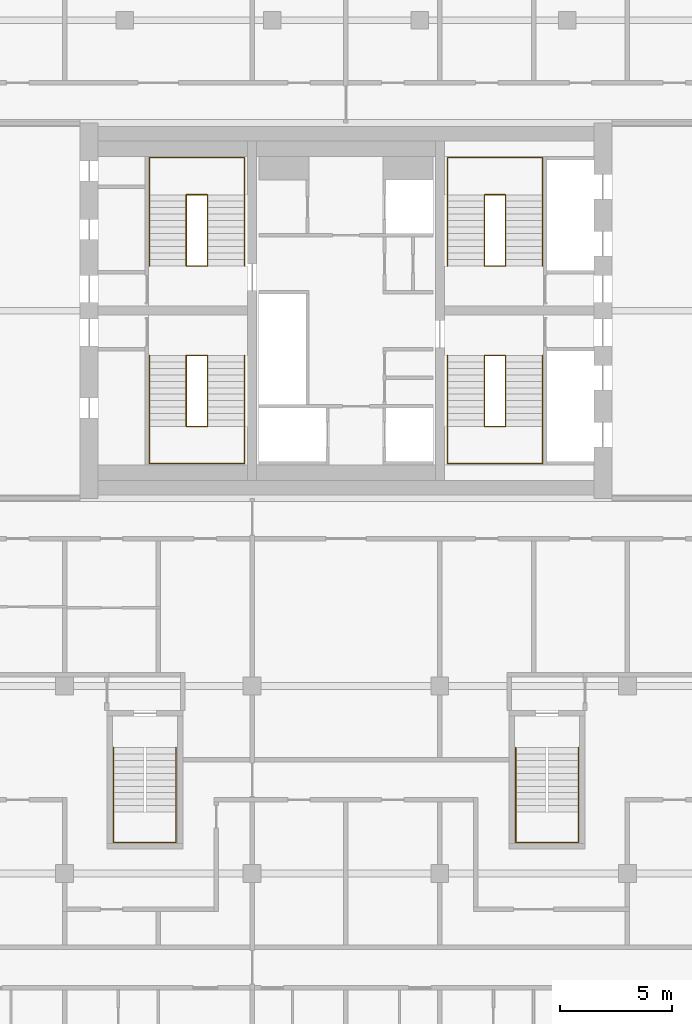
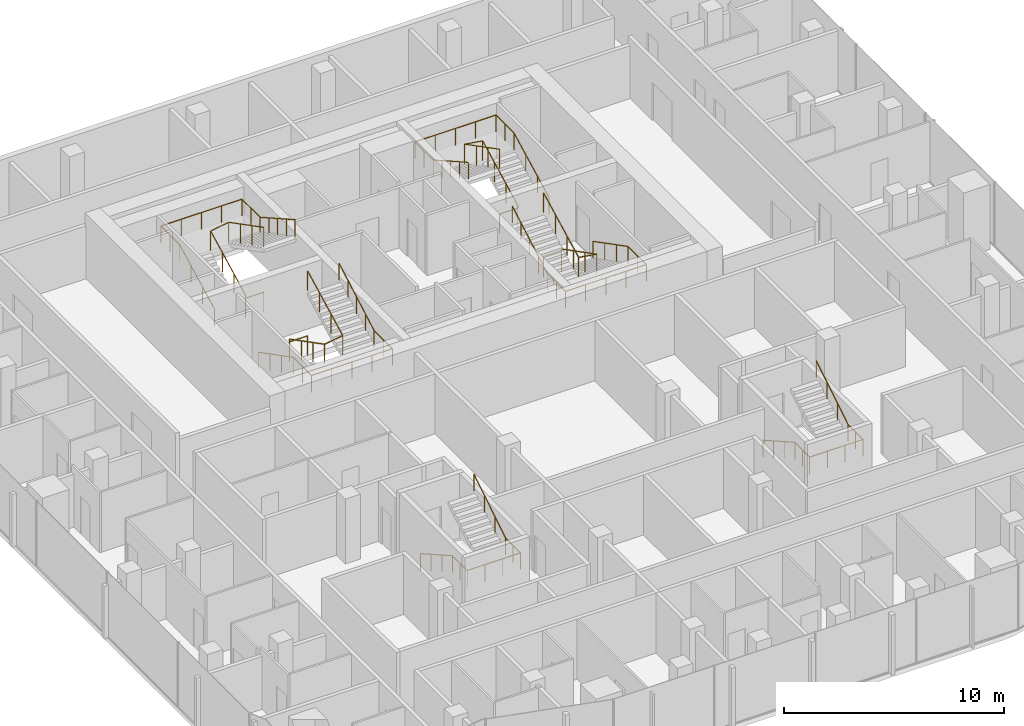
# One storey, part 22 of 22: 10 railings.
"""IFC4 building model written with IfcOpenShell, lengths in metres."""

import ifcopenshell
import ifcopenshell.guid

model = None  # the IFC model being written
_history = None  # IfcOwnerHistory: only IFC2X3 demands one
_inside = {}  # id of a spatial element -> (the spatial element, [elements in it])
_under = {}  # id of a project, library or spatial element -> (it, [spatial elements below it])
_declared = {}  # id of a project -> (the project, [libraries it declares])
_typed = {}  # id of a type object -> (the type object, [elements of that type])
_made_of = {}  # id of a material, layer set ... -> (it, [elements and type objects made of it])


def new_model(schema):
    """Start an empty IFC model of exactly this schema.

    Asked for "IFC4X3", IfcOpenShell would pick the latest addendum, in which some entities
    have other attributes; the version numbers below select the first issue.
    IFC2X3 requires an IfcOwnerHistory on every rooted entity: one is made here for all.
    """
    global model, _history
    if schema == "IFC4X3":
        model = ifcopenshell.file(schema_version=(4, 3, 0, 0))
    else:
        model = ifcopenshell.file(schema=schema)
    _inside.clear()
    _under.clear()
    _declared.clear()
    _typed.clear()
    _made_of.clear()
    _history = None
    if model.schema == "IFC2X3":
        org = make("IfcOrganization", Name="unknown")
        user = make(
            "IfcPersonAndOrganization",
            ThePerson=make("IfcPerson", FamilyName="unknown"),
            TheOrganization=org,
        )
        app = make(
            "IfcApplication",
            ApplicationDeveloper=org,
            Version="unknown",
            ApplicationFullName="unknown",
            ApplicationIdentifier="unknown",
        )
        _history = make(
            "IfcOwnerHistory",
            OwningUser=user,
            OwningApplication=app,
            ChangeAction="ADDED",
            CreationDate=0,
        )
    return model


def make(cls, **values):
    """One entity of the class cls with the attributes given. An attribute that is None is left unset."""
    return model.create_entity(
        cls, **{name: value for name, value in values.items() if value is not None}
    )


def rooted(cls, **values):
    """An entity with a GlobalId (a new one), such as an element, a storey or a relation."""
    return make(cls, GlobalId=ifcopenshell.guid.new(), OwnerHistory=_history, **values)


def si_unit(unit_type, name, prefix=None):
    """IfcSIUnit, for example si_unit("LENGTHUNIT", "METRE", prefix="MILLI")."""
    return make("IfcSIUnit", UnitType=unit_type, Prefix=prefix, Name=name)


def assignment(units):
    """IfcUnitAssignment: the units of a project."""
    return None if units is None else make("IfcUnitAssignment", Units=units)


def point(xyz):
    """IfcCartesianPoint."""
    return None if xyz is None else make("IfcCartesianPoint", Coordinates=xyz)


def direction(xyz):
    """IfcDirection."""
    return None if xyz is None else make("IfcDirection", DirectionRatios=xyz)


def frame(location, z_axis=None, x_axis=None):
    """IfcAxis2Placement3D, a coordinate frame: its origin and axes. An axis left out is left unset."""
    return make(
        "IfcAxis2Placement3D",
        Location=point(location),
        Axis=direction(z_axis),
        RefDirection=direction(x_axis),
    )


def frame_2d(location, x_axis=None):
    """IfcAxis2Placement2D, a coordinate frame in the plane: its origin and x axis."""
    return make(
        "IfcAxis2Placement2D", Location=point(location), RefDirection=direction(x_axis)
    )


def origin():
    """The frame at (0, 0, 0) with its axes left unset."""
    return frame((0.0, 0.0, 0.0))


def origin_2d():
    """The frame at (0, 0) in the plane with its x axis left unset."""
    return frame_2d((0.0, 0.0))


def place(relative_to, where):
    """IfcLocalPlacement: puts the frame where relative to a parent placement (None: the world)."""
    return make(
        "IfcLocalPlacement", PlacementRelTo=relative_to, RelativePlacement=where
    )


def context(
    kind, dimensions, precision=None, world=None, true_north=None, identifier=None
):
    """IfcGeometricRepresentationContext, for example the 3D "Model" context."""
    return make(
        "IfcGeometricRepresentationContext",
        ContextIdentifier=identifier,
        ContextType=kind,
        CoordinateSpaceDimension=dimensions,
        Precision=precision,
        WorldCoordinateSystem=world,
        TrueNorth=true_north,
    )


def subcontext(parent, identifier, kind, view, scale=None):
    """IfcGeometricRepresentationSubContext, for example "Body" below "Model"."""
    return make(
        "IfcGeometricRepresentationSubContext",
        ContextIdentifier=identifier,
        ContextType=kind,
        ParentContext=parent,
        TargetScale=scale,
        TargetView=view,
    )


def project(units=None, contexts=None):
    """IfcProject with its units and contexts."""
    return rooted(
        "IfcProject",
        Name="project",
        RepresentationContexts=contexts,
        UnitsInContext=assignment(units),
    )


def spatial(cls, under=None, at=None, **own):
    """A site, building, storey or space (cls), placed at a placement, below another one or the project."""
    s = rooted(cls, ObjectPlacement=at, **own)
    if under is not None:
        _under.setdefault(under.id(), (under, []))[1].append(s)
    return s


def profile(cls, at=None, kind="AREA", **sizes):
    """A parametric profile (cls). Its sizes go by their IFC names, for example OverallWidth=200.0."""
    return make(cls, ProfileType=kind, Position=at, **sizes)


def circle(**sizes):
    """IfcCircleProfileDef."""
    return profile("IfcCircleProfileDef", **sizes)


def extrude(swept, where, along, depth):
    """IfcExtrudedAreaSolid: the profile swept, set in the frame where, extruded along a direction by depth."""
    return make(
        "IfcExtrudedAreaSolid",
        SweptArea=swept,
        Position=where,
        ExtrudedDirection=direction(along),
        Depth=depth,
    )


def shape(context_of_items, identifier, shape_type, items):
    """IfcShapeRepresentation: the items that make up one representation, for example the "Body"."""
    return make(
        "IfcShapeRepresentation",
        ContextOfItems=context_of_items,
        RepresentationIdentifier=identifier,
        RepresentationType=shape_type,
        Items=items,
    )


def material(Name=None, Category=None):
    """IfcMaterial."""
    return make("IfcMaterial", Name=Name, Category=Category)


def made_of(thing, what):
    """Note that an element or type object is made of a material, layer set ...; save() writes the relation."""
    if what is not None:
        _made_of.setdefault(what.id(), (what, []))[1].append(thing)
    return thing


def type_object(cls, material=None, **own):
    """A type object (cls), such as IfcWallType, which elements share."""
    return made_of(rooted(cls, **own), material)


def element(
    cls,
    number,
    at=None,
    inside=None,
    cuts=None,
    type_object=None,
    material=None,
    context=None,
    identifier="Body",
    shape_type=None,
    held_by="IfcProductDefinitionShape",
    body=None,
    shapes=None,
    **own,
):
    """One element of the class cls, such as IfcWall. Its Tag is "e" and its number.

    at: its placement. inside: the storey or other place that contains it. cuts: it is an
    opening in that element (IfcRelVoidsElement). A single representation is given by context,
    identifier, shape_type and body (its items); several are given by shapes. held_by: the class
    of the entity that holds the representations. save() writes the other relations.
    """
    e = rooted(cls, Tag="e%d" % number, ObjectPlacement=at, **own)
    if body is not None:
        shapes = [shape(context, identifier, shape_type, body)]
    if shapes is not None:
        e.Representation = make(held_by, Representations=shapes)
    if inside is not None:
        _inside.setdefault(inside.id(), (inside, []))[1].append(e)
    if cuts is not None:
        rooted(
            "IfcRelVoidsElement", RelatingBuildingElement=cuts, RelatedOpeningElement=e
        )
    if type_object is not None:
        _typed.setdefault(type_object.id(), (type_object, []))[1].append(e)
    return made_of(e, material)


def aggregate(whole, parts):
    """IfcRelAggregates: a whole, such as a stair, and the parts it consists of."""
    return rooted("IfcRelAggregates", RelatingObject=whole, RelatedObjects=parts)


def save(model, path):
    """Write the relations noted so far, then the file.

    IfcRelAggregates (storeys below a building ...), IfcRelContainedInSpatialStructure (elements
    in a storey), IfcRelDefinesByType, IfcRelAssociatesMaterial and IfcRelDeclares: one each for
    every whole, place, type object, material and project.
    """
    for whole, parts in _under.values():
        aggregate(whole, parts)
    for where, things in _inside.values():
        rooted(
            "IfcRelContainedInSpatialStructure",
            RelatedElements=things,
            RelatingStructure=where,
        )
    for kind, things in _typed.values():
        rooted("IfcRelDefinesByType", RelatedObjects=things, RelatingType=kind)
    for what, things in _made_of.values():
        rooted("IfcRelAssociatesMaterial", RelatedObjects=things, RelatingMaterial=what)
    for by, libraries in _declared.values():
        rooted("IfcRelDeclares", RelatingContext=by, RelatedDefinitions=libraries)
    model.write(path)


model = new_model("IFC4")

# Units and contexts
model_context = context("Model", 3, precision=1e-05, world=origin(), true_north=direction((0.0, 1.0)))
body_context = subcontext(model_context, "Body", "Model", "MODEL_VIEW")
ifc_project = project(units=[si_unit("LENGTHUNIT", "METRE"), si_unit("AREAUNIT", "SQUARE_METRE"), si_unit("VOLUMEUNIT", "CUBIC_METRE"), si_unit("PLANEANGLEUNIT", "RADIAN"), si_unit("MASSUNIT", "GRAM", prefix="KILO")], contexts=[model_context])

# Site, building, storey
site_placement = place(None, origin())
site = spatial("IfcSite", under=ifc_project, at=site_placement, CompositionType="ELEMENT")
building_placement = place(site_placement, origin())
building = spatial("IfcBuilding", under=site, at=building_placement, Name="Marenta Gate Hotel Tower", CompositionType="ELEMENT")
storey_placement = place(building_placement, frame((0.0, 0.0, 230.89990234375)))
storey = spatial("IfcBuildingStorey", under=building, at=storey_placement, Name="L54", CompositionType="ELEMENT", Elevation=230.89990234375)

# Railings
ifc_material_1 = material(Name="Stainless steel", Category="steel")
railing_type_1 = type_object("IfcRailingType", Name="Core stair handrail 950", PredefinedType="HANDRAIL", material=ifc_material_1)
railing_1_placement = place(storey_placement, frame((-8.800048828125, 6.39990234375, 0.150146484375)))
element("IfcRailing", 1, at=railing_1_placement, inside=storey, type_object=railing_type_1, Name="HR-950 L54-KR-ST1-1", PredefinedType="HANDRAIL", context=body_context, shape_type="SweptSolid", body=[
    extrude(circle(Radius=0.02392578125, at=origin_2d()), frame((0.0, 0.0, 0.92578125), z_axis=(0.0, -0.888225295554, 0.459408123936), x_axis=(1.0, 0.0, 0.0)), (0.0, 0.0, 1.0), 3.59130859375),
    extrude(circle(Radius=0.02392578125, at=origin_2d()), frame((0.0, -3.18994140625, 2.57568359375), z_axis=(0.0, -1.0, 0.0), x_axis=(1.0, 0.0, 0.0)), (0.0, 0.0, 1.0), 1.659912109375),
    extrude(circle(Radius=0.02392578125, at=origin_2d()), frame((0.0, -4.849853515625, 2.57568359375), z_axis=(1.0, 0.0, 0.0), x_axis=(0.0, 1.0, 0.0)), (0.0, 0.0, 1.0), 4.25),
    extrude(circle(Radius=0.02392578125, at=origin_2d()), frame((4.25, -4.849853515625, 2.57568359375), z_axis=(0.0, 1.0, 0.0), x_axis=(-1.0, 0.0, 0.0)), (0.0, 0.0, 1.0), 1.659912109375),
    extrude(circle(Radius=0.02392578125, at=origin_2d()), frame((4.25, -3.18994140625, 2.57568359375), z_axis=(0.0, 0.87090897868, 0.491444351738), x_axis=(-1.0, 0.0, 0.0)), (0.0, 0.0, 1.0), 3.662841796875),
    extrude(circle(Radius=0.02099609375, at=origin_2d()), origin(), (0.0, 0.0, 1.0), 0.90185546875),
    extrude(circle(Radius=0.02099609375, at=origin_2d()), frame((0.0, -1.063232421875, 0.550048828125)), (0.0, 0.0, 1.0), 0.90185546875),
    extrude(circle(Radius=0.02099609375, at=origin_2d()), frame((0.0, -2.126708984375, 1.099853515625)), (0.0, 0.0, 1.0), 0.90185546875),
    extrude(circle(Radius=0.02099609375, at=origin_2d()), frame((0.0, -3.18994140625, 1.64990234375)), (0.0, 0.0, 1.0), 0.90185546875),
    extrude(circle(Radius=0.02099609375, at=origin_2d()), frame((0.0, -4.02001953125, 1.64990234375)), (0.0, 0.0, 1.0), 0.90185546875),
    extrude(circle(Radius=0.02099609375, at=origin_2d()), frame((0.0, -4.849853515625, 1.64990234375)), (0.0, 0.0, 1.0), 0.90185546875),
    extrude(circle(Radius=0.02099609375, at=origin_2d()), frame((1.0625, -4.849853515625, 1.64990234375)), (0.0, 0.0, 1.0), 0.90185546875),
    extrude(circle(Radius=0.02099609375, at=origin_2d()), frame((2.125, -4.849853515625, 1.64990234375)), (0.0, 0.0, 1.0), 0.90185546875),
    extrude(circle(Radius=0.02099609375, at=origin_2d()), frame((3.1875, -4.849853515625, 1.64990234375)), (0.0, 0.0, 1.0), 0.90185546875),
    extrude(circle(Radius=0.02099609375, at=origin_2d()), frame((4.25, -4.849853515625, 1.64990234375)), (0.0, 0.0, 1.0), 0.90185546875),
    extrude(circle(Radius=0.02099609375, at=origin_2d()), frame((4.25, -4.02001953125, 1.64990234375)), (0.0, 0.0, 1.0), 0.90185546875),
    extrude(circle(Radius=0.02099609375, at=origin_2d()), frame((4.25, -3.18994140625, 1.64990234375)), (0.0, 0.0, 1.0), 0.90185546875),
    extrude(circle(Radius=0.02099609375, at=origin_2d()), frame((4.25, -2.392578125, 2.099853515625)), (0.0, 0.0, 1.0), 0.90185546875),
    extrude(circle(Radius=0.02099609375, at=origin_2d()), frame((4.25, -1.594970703125, 2.5498046875)), (0.0, 0.0, 1.0), 0.90185546875),
    extrude(circle(Radius=0.02099609375, at=origin_2d()), frame((4.25, -0.79736328125, 3.0)), (0.0, 0.0, 1.0), 0.90185546875),
    extrude(circle(Radius=0.02099609375, at=origin_2d()), frame((4.25, 0.0, 3.449951171875)), (0.0, 0.0, 1.0), 0.90185546875),
])
railing_2_placement = place(storey_placement, frame((-8.800048828125, 10.39990234375, 0.150146484375)))
element("IfcRailing", 2, at=railing_2_placement, inside=storey, type_object=railing_type_1, Name="HR-950 L54-KR-ST2-1", PredefinedType="HANDRAIL", context=body_context, shape_type="SweptSolid", body=[
    extrude(circle(Radius=0.02392578125, at=origin_2d()), frame((0.0, 0.0, 0.92578125), z_axis=(0.0, 0.888239641807, 0.459380385653), x_axis=(-1.0, 0.0, 0.0)), (0.0, 0.0, 1.0), 3.591552734375),
    extrude(circle(Radius=0.02392578125, at=origin_2d()), frame((0.0, 3.190185546875, 2.57568359375), z_axis=(0.0, 1.0, 0.0), x_axis=(-1.0, 0.0, 0.0)), (0.0, 0.0, 1.0), 1.659912109375),
    extrude(circle(Radius=0.02392578125, at=origin_2d()), frame((0.0, 4.85009765625, 2.57568359375), z_axis=(1.0, 0.0, 0.0), x_axis=(0.0, 1.0, 0.0)), (0.0, 0.0, 1.0), 4.25),
    extrude(circle(Radius=0.02392578125, at=origin_2d()), frame((4.25, 4.85009765625, 2.57568359375), z_axis=(0.0, -1.0, 0.0), x_axis=(1.0, 0.0, 0.0)), (0.0, 0.0, 1.0), 1.659912109375),
    extrude(circle(Radius=0.02392578125, at=origin_2d()), frame((4.25, 3.190185546875, 2.57568359375), z_axis=(0.0, -0.870925075533, 0.491415824742), x_axis=(1.0, 0.0, 0.0)), (0.0, 0.0, 1.0), 3.6630859375),
    extrude(circle(Radius=0.02099609375, at=origin_2d()), origin(), (0.0, 0.0, 1.0), 0.90185546875),
    extrude(circle(Radius=0.02099609375, at=origin_2d()), frame((0.0, 1.0634765625, 0.550048828125)), (0.0, 0.0, 1.0), 0.90185546875),
    extrude(circle(Radius=0.02099609375, at=origin_2d()), frame((0.0, 2.126708984375, 1.099853515625)), (0.0, 0.0, 1.0), 0.90185546875),
    extrude(circle(Radius=0.02099609375, at=origin_2d()), frame((0.0, 3.190185546875, 1.64990234375)), (0.0, 0.0, 1.0), 0.90185546875),
    extrude(circle(Radius=0.02099609375, at=origin_2d()), frame((0.0, 4.02001953125, 1.64990234375)), (0.0, 0.0, 1.0), 0.90185546875),
    extrude(circle(Radius=0.02099609375, at=origin_2d()), frame((0.0, 4.85009765625, 1.64990234375)), (0.0, 0.0, 1.0), 0.90185546875),
    extrude(circle(Radius=0.02099609375, at=origin_2d()), frame((1.0625, 4.85009765625, 1.64990234375)), (0.0, 0.0, 1.0), 0.90185546875),
    extrude(circle(Radius=0.02099609375, at=origin_2d()), frame((2.125, 4.85009765625, 1.64990234375)), (0.0, 0.0, 1.0), 0.90185546875),
    extrude(circle(Radius=0.02099609375, at=origin_2d()), frame((3.1875, 4.85009765625, 1.64990234375)), (0.0, 0.0, 1.0), 0.90185546875),
    extrude(circle(Radius=0.02099609375, at=origin_2d()), frame((4.25, 4.85009765625, 1.64990234375)), (0.0, 0.0, 1.0), 0.90185546875),
    extrude(circle(Radius=0.02099609375, at=origin_2d()), frame((4.25, 4.02001953125, 1.64990234375)), (0.0, 0.0, 1.0), 0.90185546875),
    extrude(circle(Radius=0.02099609375, at=origin_2d()), frame((4.25, 3.190185546875, 1.64990234375)), (0.0, 0.0, 1.0), 0.90185546875),
    extrude(circle(Radius=0.02099609375, at=origin_2d()), frame((4.25, 2.392578125, 2.099853515625)), (0.0, 0.0, 1.0), 0.90185546875),
    extrude(circle(Radius=0.02099609375, at=origin_2d()), frame((4.25, 1.59521484375, 2.5498046875)), (0.0, 0.0, 1.0), 0.90185546875),
    extrude(circle(Radius=0.02099609375, at=origin_2d()), frame((4.25, 0.797607421875, 3.0)), (0.0, 0.0, 1.0), 0.90185546875),
    extrude(circle(Radius=0.02099609375, at=origin_2d()), frame((4.25, 0.0, 3.449951171875)), (0.0, 0.0, 1.0), 0.90185546875),
])
railing_3_placement = place(storey_placement, frame((8.800048828125, 6.39990234375, 0.150146484375)))
element("IfcRailing", 3, at=railing_3_placement, inside=storey, type_object=railing_type_1, Name="HR-950 L54-KR-ST3-1", PredefinedType="HANDRAIL", context=body_context, shape_type="SweptSolid", body=[
    extrude(circle(Radius=0.02392578125, at=origin_2d()), frame((0.0, 0.0, 0.92578125), z_axis=(0.0, -0.888225295554, 0.459408123936), x_axis=(1.0, 0.0, 0.0)), (0.0, 0.0, 1.0), 3.59130859375),
    extrude(circle(Radius=0.02392578125, at=origin_2d()), frame((0.0, -3.18994140625, 2.57568359375), z_axis=(0.0, -1.0, 0.0), x_axis=(1.0, 0.0, 0.0)), (0.0, 0.0, 1.0), 1.659912109375),
    extrude(circle(Radius=0.02392578125, at=origin_2d()), frame((0.0, -4.849853515625, 2.57568359375), z_axis=(-1.0, 0.0, 0.0), x_axis=(0.0, -1.0, 0.0)), (0.0, 0.0, 1.0), 4.25),
    extrude(circle(Radius=0.02392578125, at=origin_2d()), frame((-4.25, -4.849853515625, 2.57568359375), z_axis=(0.0, 1.0, 0.0), x_axis=(-1.0, 0.0, 0.0)), (0.0, 0.0, 1.0), 1.659912109375),
    extrude(circle(Radius=0.02392578125, at=origin_2d()), frame((-4.25, -3.18994140625, 2.57568359375), z_axis=(0.0, 0.87090897868, 0.491444351738), x_axis=(-1.0, 0.0, 0.0)), (0.0, 0.0, 1.0), 3.662841796875),
    extrude(circle(Radius=0.02099609375, at=origin_2d()), origin(), (0.0, 0.0, 1.0), 0.90185546875),
    extrude(circle(Radius=0.02099609375, at=origin_2d()), frame((0.0, -1.063232421875, 0.550048828125)), (0.0, 0.0, 1.0), 0.90185546875),
    extrude(circle(Radius=0.02099609375, at=origin_2d()), frame((0.0, -2.126708984375, 1.099853515625)), (0.0, 0.0, 1.0), 0.90185546875),
    extrude(circle(Radius=0.02099609375, at=origin_2d()), frame((0.0, -3.18994140625, 1.64990234375)), (0.0, 0.0, 1.0), 0.90185546875),
    extrude(circle(Radius=0.02099609375, at=origin_2d()), frame((0.0, -4.02001953125, 1.64990234375)), (0.0, 0.0, 1.0), 0.90185546875),
    extrude(circle(Radius=0.02099609375, at=origin_2d()), frame((0.0, -4.849853515625, 1.64990234375)), (0.0, 0.0, 1.0), 0.90185546875),
    extrude(circle(Radius=0.02099609375, at=origin_2d()), frame((-1.0625, -4.849853515625, 1.64990234375)), (0.0, 0.0, 1.0), 0.90185546875),
    extrude(circle(Radius=0.02099609375, at=origin_2d()), frame((-2.125, -4.849853515625, 1.64990234375)), (0.0, 0.0, 1.0), 0.90185546875),
    extrude(circle(Radius=0.02099609375, at=origin_2d()), frame((-3.1875, -4.849853515625, 1.64990234375)), (0.0, 0.0, 1.0), 0.90185546875),
    extrude(circle(Radius=0.02099609375, at=origin_2d()), frame((-4.25, -4.849853515625, 1.64990234375)), (0.0, 0.0, 1.0), 0.90185546875),
    extrude(circle(Radius=0.02099609375, at=origin_2d()), frame((-4.25, -4.02001953125, 1.64990234375)), (0.0, 0.0, 1.0), 0.90185546875),
    extrude(circle(Radius=0.02099609375, at=origin_2d()), frame((-4.25, -3.18994140625, 1.64990234375)), (0.0, 0.0, 1.0), 0.90185546875),
    extrude(circle(Radius=0.02099609375, at=origin_2d()), frame((-4.25, -2.392578125, 2.099853515625)), (0.0, 0.0, 1.0), 0.90185546875),
    extrude(circle(Radius=0.02099609375, at=origin_2d()), frame((-4.25, -1.594970703125, 2.5498046875)), (0.0, 0.0, 1.0), 0.90185546875),
    extrude(circle(Radius=0.02099609375, at=origin_2d()), frame((-4.25, -0.79736328125, 3.0)), (0.0, 0.0, 1.0), 0.90185546875),
    extrude(circle(Radius=0.02099609375, at=origin_2d()), frame((-4.25, 0.0, 3.449951171875)), (0.0, 0.0, 1.0), 0.90185546875),
])
railing_4_placement = place(storey_placement, frame((8.800048828125, 10.39990234375, 0.150146484375)))
element("IfcRailing", 4, at=railing_4_placement, inside=storey, type_object=railing_type_1, Name="HR-950 L54-KR-ST4-1", PredefinedType="HANDRAIL", context=body_context, shape_type="SweptSolid", body=[
    extrude(circle(Radius=0.02392578125, at=origin_2d()), frame((0.0, 0.0, 0.92578125), z_axis=(0.0, 0.888239641807, 0.459380385653), x_axis=(-1.0, 0.0, 0.0)), (0.0, 0.0, 1.0), 3.591552734375),
    extrude(circle(Radius=0.02392578125, at=origin_2d()), frame((0.0, 3.190185546875, 2.57568359375), z_axis=(0.0, 1.0, 0.0), x_axis=(-1.0, 0.0, 0.0)), (0.0, 0.0, 1.0), 1.659912109375),
    extrude(circle(Radius=0.02392578125, at=origin_2d()), frame((0.0, 4.85009765625, 2.57568359375), z_axis=(-1.0, 0.0, 0.0), x_axis=(0.0, -1.0, 0.0)), (0.0, 0.0, 1.0), 4.25),
    extrude(circle(Radius=0.02392578125, at=origin_2d()), frame((-4.25, 4.85009765625, 2.57568359375), z_axis=(0.0, -1.0, 0.0), x_axis=(1.0, 0.0, 0.0)), (0.0, 0.0, 1.0), 1.659912109375),
    extrude(circle(Radius=0.02392578125, at=origin_2d()), frame((-4.25, 3.190185546875, 2.57568359375), z_axis=(0.0, -0.870925075533, 0.491415824742), x_axis=(1.0, 0.0, 0.0)), (0.0, 0.0, 1.0), 3.6630859375),
    extrude(circle(Radius=0.02099609375, at=origin_2d()), origin(), (0.0, 0.0, 1.0), 0.90185546875),
    extrude(circle(Radius=0.02099609375, at=origin_2d()), frame((0.0, 1.0634765625, 0.550048828125)), (0.0, 0.0, 1.0), 0.90185546875),
    extrude(circle(Radius=0.02099609375, at=origin_2d()), frame((0.0, 2.126708984375, 1.099853515625)), (0.0, 0.0, 1.0), 0.90185546875),
    extrude(circle(Radius=0.02099609375, at=origin_2d()), frame((0.0, 3.190185546875, 1.64990234375)), (0.0, 0.0, 1.0), 0.90185546875),
    extrude(circle(Radius=0.02099609375, at=origin_2d()), frame((0.0, 4.02001953125, 1.64990234375)), (0.0, 0.0, 1.0), 0.90185546875),
    extrude(circle(Radius=0.02099609375, at=origin_2d()), frame((0.0, 4.85009765625, 1.64990234375)), (0.0, 0.0, 1.0), 0.90185546875),
    extrude(circle(Radius=0.02099609375, at=origin_2d()), frame((-1.0625, 4.85009765625, 1.64990234375)), (0.0, 0.0, 1.0), 0.90185546875),
    extrude(circle(Radius=0.02099609375, at=origin_2d()), frame((-2.125, 4.85009765625, 1.64990234375)), (0.0, 0.0, 1.0), 0.90185546875),
    extrude(circle(Radius=0.02099609375, at=origin_2d()), frame((-3.1875, 4.85009765625, 1.64990234375)), (0.0, 0.0, 1.0), 0.90185546875),
    extrude(circle(Radius=0.02099609375, at=origin_2d()), frame((-4.25, 4.85009765625, 1.64990234375)), (0.0, 0.0, 1.0), 0.90185546875),
    extrude(circle(Radius=0.02099609375, at=origin_2d()), frame((-4.25, 4.02001953125, 1.64990234375)), (0.0, 0.0, 1.0), 0.90185546875),
    extrude(circle(Radius=0.02099609375, at=origin_2d()), frame((-4.25, 3.190185546875, 1.64990234375)), (0.0, 0.0, 1.0), 0.90185546875),
    extrude(circle(Radius=0.02099609375, at=origin_2d()), frame((-4.25, 2.392578125, 2.099853515625)), (0.0, 0.0, 1.0), 0.90185546875),
    extrude(circle(Radius=0.02099609375, at=origin_2d()), frame((-4.25, 1.59521484375, 2.5498046875)), (0.0, 0.0, 1.0), 0.90185546875),
    extrude(circle(Radius=0.02099609375, at=origin_2d()), frame((-4.25, 0.797607421875, 3.0)), (0.0, 0.0, 1.0), 0.90185546875),
    extrude(circle(Radius=0.02099609375, at=origin_2d()), frame((-4.25, 0.0, 3.449951171875)), (0.0, 0.0, 1.0), 0.90185546875),
])
railing_5_placement = place(storey_placement, frame((-10.39990234375, -11.14990234375, 0.163818359375)))
element("IfcRailing", 5, at=railing_5_placement, inside=storey, type_object=railing_type_1, Name="HR-950 L54-RS-Z3-1-KR-1", PredefinedType="HANDRAIL", context=body_context, shape_type="SweptSolid", body=[
    extrude(circle(Radius=0.02392578125, at=origin_2d()), frame((0.0, 0.0, 0.92578125), z_axis=(0.0, -0.870946286338, 0.49137823142), x_axis=(1.0, 0.0, 0.0)), (0.0, 0.0, 1.0), 3.329833984375),
    extrude(circle(Radius=0.02392578125, at=origin_2d()), frame((0.0, -2.900146484375, 2.56201171875), z_axis=(0.0, -1.0, 0.0), x_axis=(1.0, 0.0, 0.0)), (0.0, 0.0, 1.0), 1.349853515625),
    extrude(circle(Radius=0.02392578125, at=origin_2d()), frame((0.0, -4.25, 2.56201171875), z_axis=(1.0, 0.0, 0.0), x_axis=(0.0, 1.0, 0.0)), (0.0, 0.0, 1.0), 2.7998046875),
    extrude(circle(Radius=0.02392578125, at=origin_2d()), frame((2.7998046875, -4.25, 2.56201171875), z_axis=(0.0, 1.0, 0.0), x_axis=(-1.0, 0.0, 0.0)), (0.0, 0.0, 1.0), 1.349853515625),
    extrude(circle(Radius=0.02392578125, at=origin_2d()), frame((2.7998046875, -2.900146484375, 2.56201171875), z_axis=(0.0, 0.849645691689, 0.527353959494), x_axis=(-1.0, 0.0, 0.0)), (0.0, 0.0, 1.0), 3.413330078125),
    extrude(circle(Radius=0.02099609375, at=origin_2d()), origin(), (0.0, 0.0, 1.0), 0.90185546875),
    extrude(circle(Radius=0.02099609375, at=origin_2d()), frame((0.0, -0.966796875, 0.54541015625)), (0.0, 0.0, 1.0), 0.90185546875),
    extrude(circle(Radius=0.02099609375, at=origin_2d()), frame((0.0, -1.933349609375, 1.0908203125)), (0.0, 0.0, 1.0), 0.90185546875),
    extrude(circle(Radius=0.02099609375, at=origin_2d()), frame((0.0, -2.900146484375, 1.63623046875)), (0.0, 0.0, 1.0), 0.90185546875),
    extrude(circle(Radius=0.02099609375, at=origin_2d()), frame((0.0, -3.5751953125, 1.63623046875)), (0.0, 0.0, 1.0), 0.90185546875),
    extrude(circle(Radius=0.02099609375, at=origin_2d()), frame((0.0, -4.25, 1.63623046875)), (0.0, 0.0, 1.0), 0.90185546875),
    extrude(circle(Radius=0.02099609375, at=origin_2d()), frame((0.933349609375, -4.25, 1.63623046875)), (0.0, 0.0, 1.0), 0.90185546875),
    extrude(circle(Radius=0.02099609375, at=origin_2d()), frame((1.866455078125, -4.25, 1.63623046875)), (0.0, 0.0, 1.0), 0.90185546875),
    extrude(circle(Radius=0.02099609375, at=origin_2d()), frame((2.7998046875, -4.25, 1.63623046875)), (0.0, 0.0, 1.0), 0.90185546875),
    extrude(circle(Radius=0.02099609375, at=origin_2d()), frame((2.7998046875, -3.5751953125, 1.63623046875)), (0.0, 0.0, 1.0), 0.90185546875),
    extrude(circle(Radius=0.02099609375, at=origin_2d()), frame((2.7998046875, -2.900146484375, 1.63623046875)), (0.0, 0.0, 1.0), 0.90185546875),
    extrude(circle(Radius=0.02099609375, at=origin_2d()), frame((2.7998046875, -1.933349609375, 2.236328125)), (0.0, 0.0, 1.0), 0.90185546875),
    extrude(circle(Radius=0.02099609375, at=origin_2d()), frame((2.7998046875, -0.966796875, 2.836181640625)), (0.0, 0.0, 1.0), 0.90185546875),
    extrude(circle(Radius=0.02099609375, at=origin_2d()), frame((2.7998046875, 0.0, 3.436279296875)), (0.0, 0.0, 1.0), 0.90185546875),
])
railing_6_placement = place(storey_placement, frame((7.60009765625, -11.14990234375, 0.163818359375)))
element("IfcRailing", 6, at=railing_6_placement, inside=storey, type_object=railing_type_1, Name="HR-950 L54-RS-Z3-2-KR-1", PredefinedType="HANDRAIL", context=body_context, shape_type="SweptSolid", body=[
    extrude(circle(Radius=0.02392578125, at=origin_2d()), frame((0.0, 0.0, 0.92578125), z_axis=(0.0, -0.870946286338, 0.49137823142), x_axis=(1.0, 0.0, 0.0)), (0.0, 0.0, 1.0), 3.329833984375),
    extrude(circle(Radius=0.02392578125, at=origin_2d()), frame((0.0, -2.900146484375, 2.56201171875), z_axis=(0.0, -1.0, 0.0), x_axis=(1.0, 0.0, 0.0)), (0.0, 0.0, 1.0), 1.349853515625),
    extrude(circle(Radius=0.02392578125, at=origin_2d()), frame((0.0, -4.25, 2.56201171875), z_axis=(1.0, 0.0, 0.0), x_axis=(0.0, 1.0, 0.0)), (0.0, 0.0, 1.0), 2.7998046875),
    extrude(circle(Radius=0.02392578125, at=origin_2d()), frame((2.7998046875, -4.25, 2.56201171875), z_axis=(0.0, 1.0, 0.0), x_axis=(-1.0, 0.0, 0.0)), (0.0, 0.0, 1.0), 1.349853515625),
    extrude(circle(Radius=0.02392578125, at=origin_2d()), frame((2.7998046875, -2.900146484375, 2.56201171875), z_axis=(0.0, 0.849645691689, 0.527353959494), x_axis=(-1.0, 0.0, 0.0)), (0.0, 0.0, 1.0), 3.413330078125),
    extrude(circle(Radius=0.02099609375, at=origin_2d()), origin(), (0.0, 0.0, 1.0), 0.90185546875),
    extrude(circle(Radius=0.02099609375, at=origin_2d()), frame((0.0, -0.966796875, 0.54541015625)), (0.0, 0.0, 1.0), 0.90185546875),
    extrude(circle(Radius=0.02099609375, at=origin_2d()), frame((0.0, -1.933349609375, 1.0908203125)), (0.0, 0.0, 1.0), 0.90185546875),
    extrude(circle(Radius=0.02099609375, at=origin_2d()), frame((0.0, -2.900146484375, 1.63623046875)), (0.0, 0.0, 1.0), 0.90185546875),
    extrude(circle(Radius=0.02099609375, at=origin_2d()), frame((0.0, -3.5751953125, 1.63623046875)), (0.0, 0.0, 1.0), 0.90185546875),
    extrude(circle(Radius=0.02099609375, at=origin_2d()), frame((0.0, -4.25, 1.63623046875)), (0.0, 0.0, 1.0), 0.90185546875),
    extrude(circle(Radius=0.02099609375, at=origin_2d()), frame((0.933349609375, -4.25, 1.63623046875)), (0.0, 0.0, 1.0), 0.90185546875),
    extrude(circle(Radius=0.02099609375, at=origin_2d()), frame((1.866455078125, -4.25, 1.63623046875)), (0.0, 0.0, 1.0), 0.90185546875),
    extrude(circle(Radius=0.02099609375, at=origin_2d()), frame((2.7998046875, -4.25, 1.63623046875)), (0.0, 0.0, 1.0), 0.90185546875),
    extrude(circle(Radius=0.02099609375, at=origin_2d()), frame((2.7998046875, -3.5751953125, 1.63623046875)), (0.0, 0.0, 1.0), 0.90185546875),
    extrude(circle(Radius=0.02099609375, at=origin_2d()), frame((2.7998046875, -2.900146484375, 1.63623046875)), (0.0, 0.0, 1.0), 0.90185546875),
    extrude(circle(Radius=0.02099609375, at=origin_2d()), frame((2.7998046875, -1.933349609375, 2.236328125)), (0.0, 0.0, 1.0), 0.90185546875),
    extrude(circle(Radius=0.02099609375, at=origin_2d()), frame((2.7998046875, -0.966796875, 2.836181640625)), (0.0, 0.0, 1.0), 0.90185546875),
    extrude(circle(Radius=0.02099609375, at=origin_2d()), frame((2.7998046875, 0.0, 3.436279296875)), (0.0, 0.0, 1.0), 0.90185546875),
])
ifc_material_2 = material(Name="Stainless steel", Category="steel")
railing_type_2 = type_object("IfcRailingType", Name="Core stair well guard 1100", PredefinedType="GUARDRAIL", material=ifc_material_2)
railing_7_placement = place(storey_placement, frame((-6.199951171875, 6.39990234375, 0.0)))
element("IfcRailing", 7, at=railing_7_placement, inside=storey, type_object=railing_type_2, Name="GR-1100 L54-KR-ST1-2", PredefinedType="GUARDRAIL", context=body_context, shape_type="SweptSolid", body=[
    extrude(circle(Radius=0.02392578125, at=origin_2d()), frame((0.0, 0.0, 1.076171875), z_axis=(-1.0, 0.0, 0.0), x_axis=(0.0, -1.0, 0.0)), (0.0, 0.0, 1.0), 0.949951171875),
    extrude(circle(Radius=0.02392578125, at=origin_2d()), frame((-0.949951171875, 0.0, 1.076171875), z_axis=(0.0, 0.0, 1.0), x_axis=(1.0, 0.0, 0.0)), (0.0, 0.0, 1.0), 0.150146484375),
    extrude(circle(Radius=0.02392578125, at=origin_2d()), frame((-0.949951171875, 0.0, 1.22607421875), z_axis=(0.0, -0.888225295554, 0.459408123936), x_axis=(1.0, 0.0, 0.0)), (0.0, 0.0, 1.0), 3.59130859375),
    extrude(circle(Radius=0.02392578125, at=origin_2d()), frame((-0.949951171875, -3.18994140625, 2.8759765625), z_axis=(0.987738253826, 0.0, 0.156118999255), x_axis=(0.0, 1.0, 0.0)), (0.0, 0.0, 1.0), 0.961669921875),
    extrude(circle(Radius=0.02392578125, at=origin_2d()), frame((0.0, -3.18994140625, 3.0263671875), z_axis=(0.0, 0.888225295554, 0.459408123936), x_axis=(-1.0, 0.0, 0.0)), (0.0, 0.0, 1.0), 3.59130859375),
    extrude(circle(Radius=0.02099609375, at=origin_2d()), origin(), (0.0, 0.0, 1.0), 1.052001953125),
    extrude(circle(Radius=0.02099609375, at=origin_2d()), frame((-0.949951171875, 0.0, 0.0)), (0.0, 0.0, 1.0), 1.052001953125),
    extrude(circle(Radius=0.02099609375, at=origin_2d()), frame((-0.949951171875, 0.0, 0.150146484375)), (0.0, 0.0, 1.0), 1.052001953125),
    extrude(circle(Radius=0.02099609375, at=origin_2d()), frame((-0.949951171875, -1.063232421875, 0.7001953125)), (0.0, 0.0, 1.0), 1.052001953125),
    extrude(circle(Radius=0.02099609375, at=origin_2d()), frame((-0.949951171875, -2.126708984375, 1.25)), (0.0, 0.0, 1.0), 1.052001953125),
    extrude(circle(Radius=0.02099609375, at=origin_2d()), frame((-0.949951171875, -3.18994140625, 1.800048828125)), (0.0, 0.0, 1.0), 1.052001953125),
    extrude(circle(Radius=0.02099609375, at=origin_2d()), frame((0.0, -3.18994140625, 1.9501953125)), (0.0, 0.0, 1.0), 1.052001953125),
    extrude(circle(Radius=0.02099609375, at=origin_2d()), frame((0.0, -2.126708984375, 2.500244140625)), (0.0, 0.0, 1.0), 1.052001953125),
    extrude(circle(Radius=0.02099609375, at=origin_2d()), frame((0.0, -1.063232421875, 3.050048828125)), (0.0, 0.0, 1.0), 1.052001953125),
    extrude(circle(Radius=0.02099609375, at=origin_2d()), frame((0.0, 0.0, 3.60009765625)), (0.0, 0.0, 1.0), 1.052001953125),
])
railing_8_placement = place(storey_placement, frame((-6.199951171875, 10.39990234375, 0.0)))
element("IfcRailing", 8, at=railing_8_placement, inside=storey, type_object=railing_type_2, Name="GR-1100 L54-KR-ST2-2", PredefinedType="GUARDRAIL", context=body_context, shape_type="SweptSolid", body=[
    extrude(circle(Radius=0.02392578125, at=origin_2d()), frame((0.0, 0.0, 1.076171875), z_axis=(-1.0, 0.0, 0.0), x_axis=(0.0, -1.0, 0.0)), (0.0, 0.0, 1.0), 0.949951171875),
    extrude(circle(Radius=0.02392578125, at=origin_2d()), frame((-0.949951171875, 0.0, 1.076171875), z_axis=(0.0, 0.0, 1.0), x_axis=(1.0, 0.0, 0.0)), (0.0, 0.0, 1.0), 0.150146484375),
    extrude(circle(Radius=0.02392578125, at=origin_2d()), frame((-0.949951171875, 0.0, 1.22607421875), z_axis=(0.0, 0.888239641807, 0.459380385653), x_axis=(-1.0, 0.0, 0.0)), (0.0, 0.0, 1.0), 3.591552734375),
    extrude(circle(Radius=0.02392578125, at=origin_2d()), frame((-0.949951171875, 3.190185546875, 2.8759765625), z_axis=(0.987738253826, 0.0, 0.156118999255), x_axis=(0.0, 1.0, 0.0)), (0.0, 0.0, 1.0), 0.961669921875),
    extrude(circle(Radius=0.02392578125, at=origin_2d()), frame((0.0, 3.190185546875, 3.0263671875), z_axis=(0.0, -0.888239641807, 0.459380385653), x_axis=(1.0, 0.0, 0.0)), (0.0, 0.0, 1.0), 3.591552734375),
    extrude(circle(Radius=0.02099609375, at=origin_2d()), origin(), (0.0, 0.0, 1.0), 1.052001953125),
    extrude(circle(Radius=0.02099609375, at=origin_2d()), frame((-0.949951171875, 0.0, 0.0)), (0.0, 0.0, 1.0), 1.052001953125),
    extrude(circle(Radius=0.02099609375, at=origin_2d()), frame((-0.949951171875, 0.0, 0.150146484375)), (0.0, 0.0, 1.0), 1.052001953125),
    extrude(circle(Radius=0.02099609375, at=origin_2d()), frame((-0.949951171875, 1.0634765625, 0.7001953125)), (0.0, 0.0, 1.0), 1.052001953125),
    extrude(circle(Radius=0.02099609375, at=origin_2d()), frame((-0.949951171875, 2.126708984375, 1.25)), (0.0, 0.0, 1.0), 1.052001953125),
    extrude(circle(Radius=0.02099609375, at=origin_2d()), frame((-0.949951171875, 3.190185546875, 1.800048828125)), (0.0, 0.0, 1.0), 1.052001953125),
    extrude(circle(Radius=0.02099609375, at=origin_2d()), frame((0.0, 3.190185546875, 1.9501953125)), (0.0, 0.0, 1.0), 1.052001953125),
    extrude(circle(Radius=0.02099609375, at=origin_2d()), frame((0.0, 2.126708984375, 2.500244140625)), (0.0, 0.0, 1.0), 1.052001953125),
    extrude(circle(Radius=0.02099609375, at=origin_2d()), frame((0.0, 1.0634765625, 3.050048828125)), (0.0, 0.0, 1.0), 1.052001953125),
    extrude(circle(Radius=0.02099609375, at=origin_2d()), frame((0.0, 0.0, 3.60009765625)), (0.0, 0.0, 1.0), 1.052001953125),
])
railing_9_placement = place(storey_placement, frame((6.199951171875, 6.39990234375, 0.0)))
element("IfcRailing", 9, at=railing_9_placement, inside=storey, type_object=railing_type_2, Name="GR-1100 L54-KR-ST3-2", PredefinedType="GUARDRAIL", context=body_context, shape_type="SweptSolid", body=[
    extrude(circle(Radius=0.02392578125, at=origin_2d()), frame((0.0, 0.0, 1.076171875), z_axis=(1.0, 0.0, 0.0), x_axis=(0.0, 1.0, 0.0)), (0.0, 0.0, 1.0), 0.949951171875),
    extrude(circle(Radius=0.02392578125, at=origin_2d()), frame((0.949951171875, 0.0, 1.076171875), z_axis=(0.0, 0.0, 1.0), x_axis=(1.0, 0.0, 0.0)), (0.0, 0.0, 1.0), 0.150146484375),
    extrude(circle(Radius=0.02392578125, at=origin_2d()), frame((0.949951171875, 0.0, 1.22607421875), z_axis=(0.0, -0.888225295554, 0.459408123936), x_axis=(1.0, 0.0, 0.0)), (0.0, 0.0, 1.0), 3.59130859375),
    extrude(circle(Radius=0.02392578125, at=origin_2d()), frame((0.949951171875, -3.18994140625, 2.8759765625), z_axis=(-0.987738253826, 0.0, 0.156118999255), x_axis=(0.0, -1.0, 0.0)), (0.0, 0.0, 1.0), 0.961669921875),
    extrude(circle(Radius=0.02392578125, at=origin_2d()), frame((0.0, -3.18994140625, 3.0263671875), z_axis=(0.0, 0.888225295554, 0.459408123936), x_axis=(-1.0, 0.0, 0.0)), (0.0, 0.0, 1.0), 3.59130859375),
    extrude(circle(Radius=0.02099609375, at=origin_2d()), origin(), (0.0, 0.0, 1.0), 1.052001953125),
    extrude(circle(Radius=0.02099609375, at=origin_2d()), frame((0.949951171875, 0.0, 0.0)), (0.0, 0.0, 1.0), 1.052001953125),
    extrude(circle(Radius=0.02099609375, at=origin_2d()), frame((0.949951171875, 0.0, 0.150146484375)), (0.0, 0.0, 1.0), 1.052001953125),
    extrude(circle(Radius=0.02099609375, at=origin_2d()), frame((0.949951171875, -1.063232421875, 0.7001953125)), (0.0, 0.0, 1.0), 1.052001953125),
    extrude(circle(Radius=0.02099609375, at=origin_2d()), frame((0.949951171875, -2.126708984375, 1.25)), (0.0, 0.0, 1.0), 1.052001953125),
    extrude(circle(Radius=0.02099609375, at=origin_2d()), frame((0.949951171875, -3.18994140625, 1.800048828125)), (0.0, 0.0, 1.0), 1.052001953125),
    extrude(circle(Radius=0.02099609375, at=origin_2d()), frame((0.0, -3.18994140625, 1.9501953125)), (0.0, 0.0, 1.0), 1.052001953125),
    extrude(circle(Radius=0.02099609375, at=origin_2d()), frame((0.0, -2.126708984375, 2.500244140625)), (0.0, 0.0, 1.0), 1.052001953125),
    extrude(circle(Radius=0.02099609375, at=origin_2d()), frame((0.0, -1.063232421875, 3.050048828125)), (0.0, 0.0, 1.0), 1.052001953125),
    extrude(circle(Radius=0.02099609375, at=origin_2d()), frame((0.0, 0.0, 3.60009765625)), (0.0, 0.0, 1.0), 1.052001953125),
])
railing_10_placement = place(storey_placement, frame((6.199951171875, 10.39990234375, 0.0)))
element("IfcRailing", 10, at=railing_10_placement, inside=storey, type_object=railing_type_2, Name="GR-1100 L54-KR-ST4-2", PredefinedType="GUARDRAIL", context=body_context, shape_type="SweptSolid", body=[
    extrude(circle(Radius=0.02392578125, at=origin_2d()), frame((0.0, 0.0, 1.076171875), z_axis=(1.0, 0.0, 0.0), x_axis=(0.0, 1.0, 0.0)), (0.0, 0.0, 1.0), 0.949951171875),
    extrude(circle(Radius=0.02392578125, at=origin_2d()), frame((0.949951171875, 0.0, 1.076171875), z_axis=(0.0, 0.0, 1.0), x_axis=(1.0, 0.0, 0.0)), (0.0, 0.0, 1.0), 0.150146484375),
    extrude(circle(Radius=0.02392578125, at=origin_2d()), frame((0.949951171875, 0.0, 1.22607421875), z_axis=(0.0, 0.888239641807, 0.459380385653), x_axis=(-1.0, 0.0, 0.0)), (0.0, 0.0, 1.0), 3.591552734375),
    extrude(circle(Radius=0.02392578125, at=origin_2d()), frame((0.949951171875, 3.190185546875, 2.8759765625), z_axis=(-0.987738253826, 0.0, 0.156118999255), x_axis=(0.0, -1.0, 0.0)), (0.0, 0.0, 1.0), 0.961669921875),
    extrude(circle(Radius=0.02392578125, at=origin_2d()), frame((0.0, 3.190185546875, 3.0263671875), z_axis=(0.0, -0.888239641807, 0.459380385653), x_axis=(1.0, 0.0, 0.0)), (0.0, 0.0, 1.0), 3.591552734375),
    extrude(circle(Radius=0.02099609375, at=origin_2d()), origin(), (0.0, 0.0, 1.0), 1.052001953125),
    extrude(circle(Radius=0.02099609375, at=origin_2d()), frame((0.949951171875, 0.0, 0.0)), (0.0, 0.0, 1.0), 1.052001953125),
    extrude(circle(Radius=0.02099609375, at=origin_2d()), frame((0.949951171875, 0.0, 0.150146484375)), (0.0, 0.0, 1.0), 1.052001953125),
    extrude(circle(Radius=0.02099609375, at=origin_2d()), frame((0.949951171875, 1.0634765625, 0.7001953125)), (0.0, 0.0, 1.0), 1.052001953125),
    extrude(circle(Radius=0.02099609375, at=origin_2d()), frame((0.949951171875, 2.126708984375, 1.25)), (0.0, 0.0, 1.0), 1.052001953125),
    extrude(circle(Radius=0.02099609375, at=origin_2d()), frame((0.949951171875, 3.190185546875, 1.800048828125)), (0.0, 0.0, 1.0), 1.052001953125),
    extrude(circle(Radius=0.02099609375, at=origin_2d()), frame((0.0, 3.190185546875, 1.9501953125)), (0.0, 0.0, 1.0), 1.052001953125),
    extrude(circle(Radius=0.02099609375, at=origin_2d()), frame((0.0, 2.126708984375, 2.500244140625)), (0.0, 0.0, 1.0), 1.052001953125),
    extrude(circle(Radius=0.02099609375, at=origin_2d()), frame((0.0, 1.0634765625, 3.050048828125)), (0.0, 0.0, 1.0), 1.052001953125),
    extrude(circle(Radius=0.02099609375, at=origin_2d()), frame((0.0, 0.0, 3.60009765625)), (0.0, 0.0, 1.0), 1.052001953125),
])

save(model, "model.ifc")
